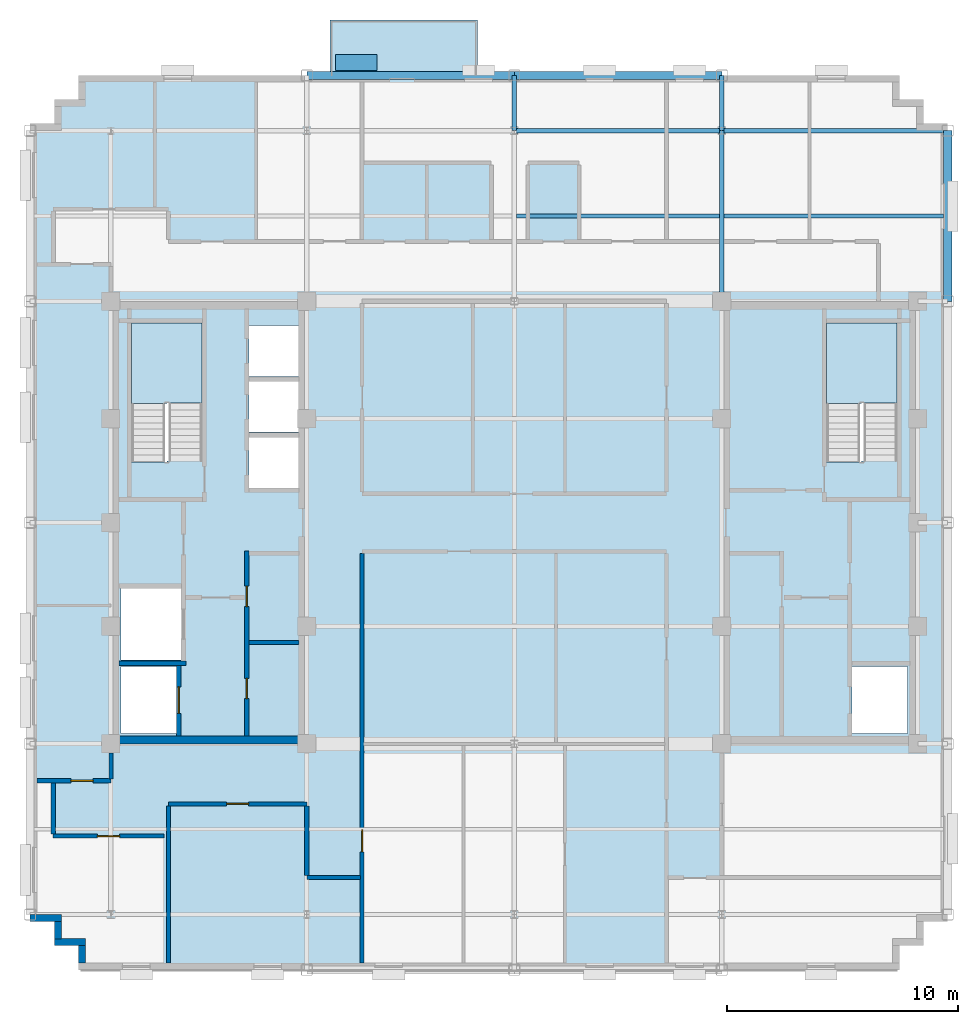
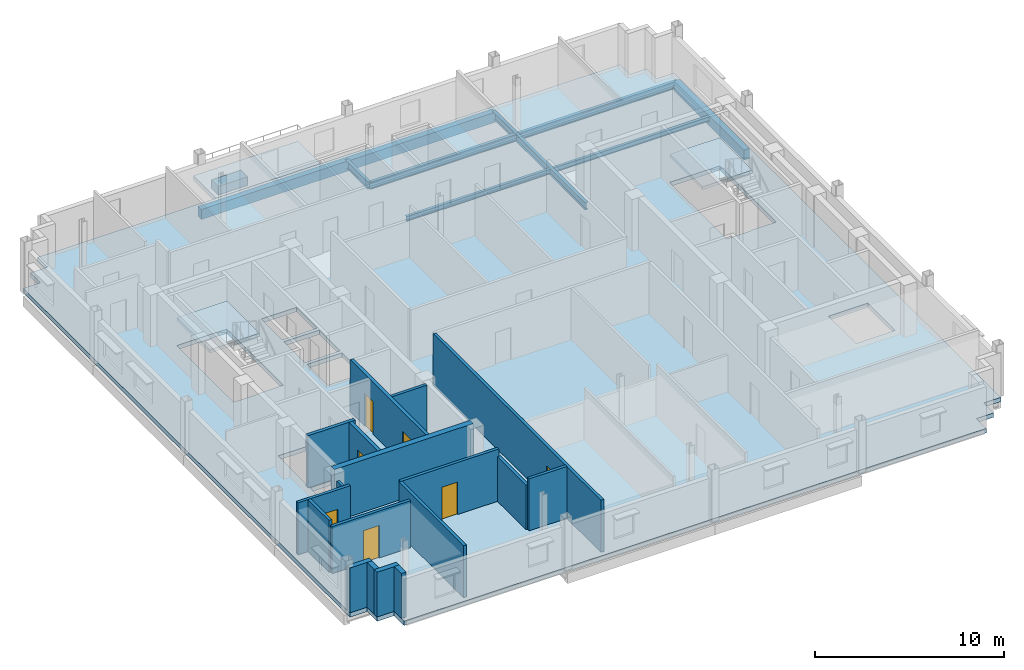
# One storey, part 5 of 14: 18 walls, 10 beams, 7 doors, 4 slabs, 1 plate, 7 openings, 2 elements without a shape of their own.
"""IFC4 building model written with IfcOpenShell, lengths in metres."""

from ifc_helpers import new_model, si_unit, direction, frame, frame_2d, origin, origin_2d, place, context, subcontext, project, spatial, polyline, rectangle, i_section, outline, extrude, source, transform, mapped, material, layer, layer_set, material_profile, profile_set, type_object, type_shapes, element, fill, aggregate, save


model = new_model("IFC4")

# Units and contexts
model_context = context("Model", 3, precision=1e-05, world=origin(), true_north=direction((0.0, 1.0)))
body_context = subcontext(model_context, "Body", "Model", "MODEL_VIEW")
ifc_project = project(units=[si_unit("LENGTHUNIT", "METRE"), si_unit("AREAUNIT", "SQUARE_METRE"), si_unit("VOLUMEUNIT", "CUBIC_METRE"), si_unit("PLANEANGLEUNIT", "RADIAN"), si_unit("MASSUNIT", "GRAM", prefix="KILO")], contexts=[model_context])

# Site, building, storey
site_placement = place(None, origin())
site = spatial("IfcSite", under=ifc_project, at=site_placement, CompositionType="ELEMENT")
building_placement = place(site_placement, origin())
building = spatial("IfcBuilding", under=site, at=building_placement, Name="Nuvemarco Arch Tower", CompositionType="ELEMENT")
storey_placement = place(building_placement, frame((0.0, 0.0, 272.550048828125)))
storey = spatial("IfcBuildingStorey", under=building, at=storey_placement, Name="L72", CompositionType="ELEMENT", Elevation=272.550048828125)

# Beams
ifc_material_1 = material(Name="Steel S355", Category="steel")
ifc_material_profile_1 = material_profile(ifc_material_1, i_section(OverallWidth=0.19189453125, OverallDepth=0.462890625, WebThickness=0.010498046875, FlangeThickness=0.017578125, FilletRadius=0.014892578125, at=origin_2d()), Name="W460x89")
ifc_profile_set_1 = profile_set([ifc_material_profile_1], Name="Steel S355")
beam_type_1 = type_object("IfcBeamType", Name="BM-GIRD-460", PredefinedType="BEAM", material=ifc_profile_set_1)
beam_1_placement = place(storey_placement, frame((0.0, 17.0, -0.511474609375), z_axis=(0.0, 1.0, 0.0), x_axis=(-1.0, 0.0, 0.0)))
element("IfcBeam", 1, at=beam_1_placement, inside=storey, type_object=beam_type_1, Name="L72 structural beam BGNS_L72_0_+0.0_+17.0", PredefinedType="BEAM", context=body_context, shape_type="SweptSolid", body=[
    extrude(i_section(OverallWidth=0.19189453125, OverallDepth=0.462890625, WebThickness=0.010498046875, FlangeThickness=0.017578125, FilletRadius=0.014892578125, at=origin_2d()), origin(), (0.0, 0.0, 1.0), 2.39990234375),
])
beam_2_placement = place(storey_placement, frame((9.0, 9.60009765625, -0.511474609375), z_axis=(0.0, 1.0, 0.0), x_axis=(-1.0, 0.0, 0.0)))
element("IfcBeam", 2, at=beam_2_placement, inside=storey, type_object=beam_type_1, Name="L72 structural beam BGNS_L72_0_+9.0_+9.6", PredefinedType="BEAM", context=body_context, shape_type="SweptSolid", body=[
    extrude(i_section(OverallWidth=0.19189453125, OverallDepth=0.462890625, WebThickness=0.010498046875, FlangeThickness=0.017578125, FilletRadius=0.014892578125, at=origin_2d()), origin(), (0.0, 0.0, 1.0), 7.39990234375),
])
beam_3_placement = place(storey_placement, frame((9.0, 17.0, -0.511474609375), z_axis=(0.0, 1.0, 0.0), x_axis=(-1.0, 0.0, 0.0)))
element("IfcBeam", 3, at=beam_3_placement, inside=storey, type_object=beam_type_1, Name="L72 structural beam BGNS_L72_0_+9.0_+17.0", PredefinedType="BEAM", context=body_context, shape_type="SweptSolid", body=[
    extrude(i_section(OverallWidth=0.19189453125, OverallDepth=0.462890625, WebThickness=0.010498046875, FlangeThickness=0.017578125, FilletRadius=0.014892578125, at=origin_2d()), origin(), (0.0, 0.0, 1.0), 2.39990234375),
])
beam_4_placement = place(storey_placement, frame((0.0, 17.0, -0.511474609375), z_axis=(1.0, 0.0, 0.0), x_axis=(0.0, 1.0, 0.0)))
element("IfcBeam", 4, at=beam_4_placement, inside=storey, type_object=beam_type_1, Name="L72 structural beam BGEW_L72_0_+17.0_+0.0", PredefinedType="BEAM", context=body_context, shape_type="SweptSolid", body=[
    extrude(i_section(OverallWidth=0.19189453125, OverallDepth=0.462890625, WebThickness=0.010498046875, FlangeThickness=0.017578125, FilletRadius=0.014892578125, at=origin_2d()), origin(), (0.0, 0.0, 1.0), 9.0),
])
beam_5_placement = place(storey_placement, frame((9.0, 17.0, -0.511474609375), z_axis=(1.0, 0.0, 0.0), x_axis=(0.0, 1.0, 0.0)))
element("IfcBeam", 5, at=beam_5_placement, inside=storey, type_object=beam_type_1, Name="L72 structural beam BGEW_L72_0_+17.0_+9.0", PredefinedType="BEAM", context=body_context, shape_type="SweptSolid", body=[
    extrude(i_section(OverallWidth=0.19189453125, OverallDepth=0.462890625, WebThickness=0.010498046875, FlangeThickness=0.017578125, FilletRadius=0.014892578125, at=origin_2d()), origin(), (0.0, 0.0, 1.0), 9.800048828125),
])
ifc_material_profile_2 = material_profile(ifc_material_1, i_section(OverallWidth=0.1669921875, OverallDepth=0.31689453125, WebThickness=0.007568359375, FlangeThickness=0.01318359375, FilletRadius=0.010009765625, at=origin_2d()), Name="W310x52")
ifc_profile_set_2 = profile_set([ifc_material_profile_2], Name="Steel S355")
beam_type_2 = type_object("IfcBeamType", Name="BM-JOIST-310", PredefinedType="JOIST", material=ifc_profile_set_2)
beam_6_placement = place(storey_placement, frame((0.095947265625, 13.300048828125, -0.4384765625), z_axis=(1.0, 0.0, 0.0), x_axis=(0.0, 1.0, 0.0)))
element("IfcBeam", 6, at=beam_6_placement, inside=storey, type_object=beam_type_2, Name="L72 structural beam BJ_L72_0_+13.3_+0.0", PredefinedType="JOIST", context=body_context, shape_type="SweptSolid", body=[
    extrude(i_section(OverallWidth=0.1669921875, OverallDepth=0.31689453125, WebThickness=0.007568359375, FlangeThickness=0.01318359375, FilletRadius=0.010009765625, at=origin_2d()), origin(), (0.0, 0.0, 1.0), 8.80810546875),
])
beam_7_placement = place(storey_placement, frame((9.095947265625, 13.300048828125, -0.4384765625), z_axis=(1.0, 0.0, 0.0), x_axis=(0.0, 1.0, 0.0)))
element("IfcBeam", 7, at=beam_7_placement, inside=storey, type_object=beam_type_2, Name="L72 structural beam BJ_L72_0_+13.3_+9.0", PredefinedType="JOIST", context=body_context, shape_type="SweptSolid", body=[
    extrude(i_section(OverallWidth=0.1669921875, OverallDepth=0.31689453125, WebThickness=0.007568359375, FlangeThickness=0.01318359375, FilletRadius=0.010009765625, at=origin_2d()), origin(), (0.0, 0.0, 1.0), 9.529052734375),
])
ifc_material_2 = material(Name="Precast concrete C45/55", Category="concrete")
ifc_material_profile_3 = material_profile(ifc_material_2, rectangle(XDim=0.35009765625, YDim=0.64990234375, at=origin_2d()), Name="PC-SP-350x650")
ifc_profile_set_3 = profile_set([ifc_material_profile_3], Name="Precast concrete C45/55")
beam_type_3 = type_object("IfcBeamType", Name="BM-SPAN-RC", PredefinedType="SPANDREL", material=ifc_profile_set_3)
beam_8_placement = place(storey_placement, frame((18.800048828125, 9.60009765625, -0.60498046875), z_axis=(0.0, 1.0, 0.0), x_axis=(-1.0, 0.0, 0.0)))
element("IfcBeam", 8, at=beam_8_placement, inside=storey, type_object=beam_type_3, Name="L72 structural beam BGNS_L72_0_+18.8_+9.6", PredefinedType="SPANDREL", context=body_context, shape_type="SweptSolid", body=[
    extrude(rectangle(XDim=0.35009765625, YDim=0.64990234375, at=origin_2d()), origin(), (0.0, 0.0, 1.0), 7.39990234375),
])
for number, where, z_axis, x_axis, name in (
    (9, (-9.0, 19.39990234375, -0.60498046875), (1.0, 0.0, 0.0), (0.0, 1.0, 0.0), "L72 structural beam BGEW_L72_0_+19.4_-9.0"),
    (10, (0.0, 19.39990234375, -0.60498046875), (1.0, 0.0, 0.0), (0.0, 1.0, 0.0), "L72 structural beam BGEW_L72_0_+19.4_+0.0"),
):
    element("IfcBeam", number, at=place(storey_placement, frame(where, z_axis=z_axis, x_axis=x_axis)), inside=storey, type_object=beam_type_3, Name=name, PredefinedType="SPANDREL", context=body_context, shape_type="SweptSolid", body=[
        extrude(rectangle(XDim=0.35009765625, YDim=0.64990234375, at=origin_2d()), origin(), (0.0, 0.0, 1.0), 9.0),
    ])

# Slab
ifc_material_3 = material(Name="Concrete C50/60", Category="concrete")
ifc_layer_1 = layer(ifc_material_3, 0.280029296875, Name="SL-FLR-280")
ifc_layer_set_1 = layer_set([ifc_layer_1], Name="Concrete C50/60")
slab_type_1 = type_object("IfcSlabType", Name="SL-FLR-280", PredefinedType="FLOOR", material=ifc_layer_set_1)
slab_1_placement = place(storey_placement, frame((0.0, 0.0, -0.280029296875)))
element("IfcSlab", 11, at=slab_1_placement, inside=storey, type_object=slab_type_1, Name="L72 structural floor slab", PredefinedType="FLOOR", context=body_context, shape_type="SweptSolid", body=[
    extrude(outline(polyline([(-18.89990234375, -19.39990234375), (16.699951171875, -19.39990234375), (16.699951171875, -18.35009765625), (17.75, -18.35009765625), (17.75, -17.300048828125), (18.800048828125, -17.300048828125), (18.800048828125, 17.300048828125), (17.75, 17.300048828125), (17.75, 18.35009765625), (16.699951171875, 18.35009765625), (16.699951171875, 19.39990234375), (-18.89990234375, 19.39990234375), (-18.89990234375, 18.35009765625), (-19.949951171875, 18.35009765625), (-19.949951171875, 17.300048828125), (-21.0, 17.300048828125), (-21.0, -17.300048828125), (-19.949951171875, -17.300048828125), (-19.949951171875, -18.35009765625), (-18.89990234375, -18.35009765625), (-18.89990234375, -19.39990234375)]), holes=[polyline([(-13.5400390625, 2.669921875), (-13.5400390625, 8.64990234375), (-16.60009765625, 8.64990234375), (-16.60009765625, 2.630615234375), (-15.070068359375, 2.630615234375), (-15.070068359375, 2.669921875), (-13.5400390625, 2.669921875)]), polyline([(16.60009765625, 2.669921875), (16.60009765625, 8.64990234375), (13.5400390625, 8.64990234375), (13.5400390625, 2.630615234375), (15.070068359375, 2.630615234375), (15.070068359375, 2.669921875), (16.60009765625, 2.669921875)]), polyline([(-17.050048828125, -9.14990234375), (-14.64990234375, -9.14990234375), (-14.64990234375, -6.25), (-17.050048828125, -6.25), (-17.050048828125, -9.14990234375)]), polyline([(-17.050048828125, -5.949951171875), (-14.449951171875, -5.949951171875), (-14.449951171875, -2.85009765625), (-17.050048828125, -2.85009765625), (-17.050048828125, -5.949951171875)]), polyline([(-11.5, 1.5), (-9.35009765625, 1.5), (-9.35009765625, 3.699951171875), (-11.5, 3.699951171875), (-11.5, 1.5)]), polyline([(-11.5, 3.919921875), (-9.35009765625, 3.919921875), (-9.35009765625, 6.1201171875), (-11.5, 6.1201171875), (-11.5, 3.919921875)]), polyline([(-11.5, 6.340087890625), (-9.35009765625, 6.340087890625), (-9.35009765625, 8.5400390625), (-11.5, 8.5400390625), (-11.5, 6.340087890625)]), polyline([(14.64990234375, -9.14990234375), (17.050048828125, -9.14990234375), (17.050048828125, -6.25), (14.64990234375, -6.25), (14.64990234375, -9.14990234375)])]), origin(), (0.0, 0.0, 1.0), 0.280029296875),
])

# Stair, slab
stair_type = type_object("IfcStairType", Name="ST-CORE-20R", PredefinedType="HALF_TURN_STAIR", material=ifc_material_2)
stair_1_placement = place(storey_placement, origin())
stair_1 = element("IfcStair", 12, at=stair_1_placement, inside=storey, type_object=stair_type, Name="L72 Protected Exit Stair ST-1", PredefinedType="HALF_TURN_STAIR")
ifc_layer_2 = layer(ifc_material_2, 0.199951171875, Name="SL-LANDING-200")
ifc_layer_set_2 = layer_set([ifc_layer_2], Name="Precast concrete C45/55")
slab_type_2 = type_object("IfcSlabType", Name="SL-LANDING-200", PredefinedType="LANDING", material=ifc_layer_set_2)
slab_2_placement = place(storey_placement, frame((0.0, 0.0, 1.625)))
slab_2 = element("IfcSlab", 13, at=slab_2_placement, type_object=slab_type_2, Name="ST-20R landing 1", PredefinedType="LANDING", context=body_context, shape_type="SweptSolid", body=[
    extrude(outline(polyline([(-13.5400390625, 5.189453125), (-13.5400390625, 8.64990234375), (-16.60009765625, 8.64990234375), (-16.60009765625, 5.169921875), (-15.070068359375, 5.169921875), (-15.070068359375, 5.189453125), (-13.5400390625, 5.189453125)])), origin(), (0.0, 0.0, 1.0), 0.199951171875),
])
aggregate(stair_1, [slab_2])

stair_2_placement = place(storey_placement, origin())
stair_2 = element("IfcStair", 14, at=stair_2_placement, inside=storey, type_object=stair_type, Name="L72 Protected Exit Stair ST-2", PredefinedType="HALF_TURN_STAIR")
slab_3_placement = place(storey_placement, frame((0.0, 0.0, 1.625)))
slab_3 = element("IfcSlab", 15, at=slab_3_placement, type_object=slab_type_2, Name="ST-20R landing 1", PredefinedType="LANDING", context=body_context, shape_type="SweptSolid", body=[
    extrude(outline(polyline([(16.60009765625, 5.189453125), (16.60009765625, 8.64990234375), (13.5400390625, 8.64990234375), (13.5400390625, 5.169921875), (15.070068359375, 5.169921875), (15.070068359375, 5.189453125), (16.60009765625, 5.189453125)])), origin(), (0.0, 0.0, 1.0), 0.199951171875),
])
aggregate(stair_2, [slab_3])

# Slab
ifc_layer_3 = layer(ifc_material_3, 0.294921875, Name="SL-TR4")
ifc_layer_set_3 = layer_set([ifc_layer_3], Name="Concrete C50/60")
slab_type_3 = type_object("IfcSlabType", Name="SL-TR4", PredefinedType="FLOOR", material=ifc_layer_set_3)
slab_4_placement = place(storey_placement, frame((0.0, 0.0, -0.295166015625)))
element("IfcSlab", 16, at=slab_4_placement, inside=storey, type_object=slab_type_3, Name="L72 outdoor spiral terrace slab 1", PredefinedType="FLOOR", context=body_context, shape_type="SweptSolid", body=[
    extrude(outline(polyline([(-8.0, 19.39990234375), (-1.60009765625, 19.39990234375), (-1.60009765625, 21.800048828125), (-8.0, 21.800048828125), (-8.0, 19.39990234375)])), origin(), (0.0, 0.0, 1.0), 0.295166015625),
])

# Plate
ifc_layer_4 = layer(ifc_material_2, 0.550048828125, Name="Tree Balcony Structural Planter")
ifc_layer_set_4 = layer_set([ifc_layer_4], Name="Precast concrete C45/55")
plate_type = type_object("IfcPlateType", Name="Tree Balcony Structural Planter", PredefinedType="USERDEFINED", material=ifc_layer_set_4)
shared_shape_1 = source(origin(), body_context, "Body", "SweptSolid", [
    extrude(rectangle(XDim=1.800048828125, YDim=0.699951171875, at=origin_2d()), origin(), (0.0, 0.0, 1.0), 0.550048828125),
])
type_shapes(plate_type, [shared_shape_1])
plate_placement = place(storey_placement, frame((-6.85009765625, 19.949951171875, 0.0), z_axis=(0.0, 0.0, 1.0), x_axis=(1.0, 0.0, 0.0)))
element("IfcPlate", 17, at=plate_placement, inside=storey, type_object=plate_type, Name="L72 Tree Balcony Structural Planter", ObjectType="PLANTER", PredefinedType="USERDEFINED", context=body_context, shape_type="MappedRepresentation", body=[
    mapped(shared_shape_1, transform((0.0, 0.0, 0.0), scale=1.0)),
])

# Walls
ifc_layer_5 = layer(ifc_material_2, 0.300048828125, Name="EW-HIGH-300")
ifc_layer_set_5 = layer_set([ifc_layer_5], Name="Precast concrete C45/55")
wall_type_1 = type_object("IfcWallType", Name="EW-HIGH-300", PredefinedType="STANDARD", material=ifc_layer_set_5)
wall_1_placement = place(storey_placement, frame((-21.0, -17.14990234375, 0.0), z_axis=(0.0, 0.0, 1.0), x_axis=(1.0, 0.0, 0.0)))
element("IfcWall", 18, at=wall_1_placement, inside=storey, type_object=wall_type_1, Name="L72 exterior precast facade wall 17", PredefinedType="STANDARD", context=body_context, shape_type="SweptSolid", body=[
    extrude(rectangle(XDim=1.35009765625, YDim=0.300048828125, at=frame_2d((0.675048828125, 0.0))), origin(), (0.0, 0.0, 1.0), 2.891845703125),
])
wall_2_placement = place(storey_placement, frame((-19.800048828125, -18.053955078125, 0.0), z_axis=(0.0, 0.0, 1.0), x_axis=(0.0, 1.0, 0.0)))
element("IfcWall", 19, at=wall_2_placement, inside=storey, type_object=wall_type_1, Name="L72 exterior precast facade wall 18", PredefinedType="STANDARD", context=body_context, shape_type="SweptSolid", body=[
    extrude(rectangle(XDim=0.758056640625, YDim=0.300048828125, at=frame_2d((0.37890625, 0.0))), origin(), (0.0, 0.0, 1.0), 2.891845703125),
])
wall_3_placement = place(storey_placement, frame((-19.949951171875, -18.199951171875, 0.0), z_axis=(0.0, 0.0, 1.0), x_axis=(1.0, 0.0, 0.0)))
element("IfcWall", 20, at=wall_3_placement, inside=storey, type_object=wall_type_1, Name="L72 exterior precast facade wall 19", PredefinedType="STANDARD", context=body_context, shape_type="SweptSolid", body=[
    extrude(rectangle(XDim=1.349853515625, YDim=0.300048828125, at=frame_2d((0.6748046875, 0.0))), origin(), (0.0, 0.0, 1.0), 2.891845703125),
])
wall_4_placement = place(storey_placement, frame((-18.75, -19.10400390625, 0.0), z_axis=(0.0, 0.0, 1.0), x_axis=(0.0, 1.0, 0.0)))
element("IfcWall", 21, at=wall_4_placement, inside=storey, type_object=wall_type_1, Name="L72 exterior precast facade wall 20", PredefinedType="STANDARD", context=body_context, shape_type="SweptSolid", body=[
    extrude(rectangle(XDim=0.758056640625, YDim=0.300048828125, at=frame_2d((0.37890625, 0.0))), origin(), (0.0, 0.0, 1.0), 2.891845703125),
])
ifc_layer_6 = layer(ifc_material_3, 0.35009765625, Name="WL-CORE-350")
ifc_layer_set_6 = layer_set([ifc_layer_6], Name="Concrete C50/60")
wall_type_2 = type_object("IfcWallType", Name="WL-CORE-350", PredefinedType="SHEAR", material=ifc_layer_set_6)
wall_5_placement = place(storey_placement, frame((-17.5, -9.425048828125, 0.0), z_axis=(0.0, 0.0, 1.0), x_axis=(1.0, 0.0, 0.0)))
element("IfcWall", 22, at=wall_5_placement, inside=storey, type_object=wall_type_2, Name="L72 W-core shear wall S", PredefinedType="SHEAR", context=body_context, shape_type="SweptSolid", body=[
    extrude(rectangle(XDim=8.5, YDim=0.35009765625, at=frame_2d((4.25, 0.0))), origin(), (0.0, 0.0, 1.0), 3.369873046875),
])
ifc_material_4 = material(Name="Fire-rated gypsum drywall partition")
ifc_layer_7 = layer(ifc_material_4, 0.179931640625, Name="WL-CORR-180")
ifc_layer_set_7 = layer_set([ifc_layer_7], Name="Fire-rated gypsum drywall partition")
wall_type_3 = type_object("IfcWallType", Name="WL-CORR-180", PredefinedType="PARTITIONING", material=ifc_layer_set_7)
wall_6_placement = place(storey_placement, frame((-11.5048828125, -5.199951171875, 0.0), z_axis=(0.0, 0.0, 1.0), x_axis=(1.0, 0.0, 0.0)))
element("IfcWall", 23, at=wall_6_placement, inside=storey, type_object=wall_type_3, Name="L72 interior wall IW-L72-W-RECK1", PredefinedType="PARTITIONING", context=body_context, shape_type="SweptSolid", body=[
    extrude(rectangle(XDim=2.159912109375, YDim=0.179931640625, at=frame_2d((1.080078125, 0.0))), origin(), (0.0, 0.0, 1.0), 3.35986328125),
])
wall_7_placement = place(storey_placement, frame((-9.0, -15.39990234375, 0.0), z_axis=(0.0, 0.0, 1.0), x_axis=(1.0, 0.0, 0.0)))
element("IfcWall", 24, at=wall_7_placement, inside=storey, type_object=wall_type_3, Name="L72 interior wall IW-L72-001", PredefinedType="PARTITIONING", context=body_context, shape_type="SweptSolid", body=[
    extrude(rectangle(XDim=2.333984375, YDim=0.179931640625, at=frame_2d((1.1669921875, 0.0))), origin(), (0.0, 0.0, 1.0), 3.35986328125),
])

# Wall, opening, door
wall_8_placement = place(storey_placement, frame((-20.0, -13.60009765625, 0.0), z_axis=(0.0, 0.0, 1.0), x_axis=(1.0, 0.0, 0.0)))
wall_8 = element("IfcWall", 25, at=wall_8_placement, inside=storey, type_object=wall_type_3, Name="L72 interior wall IW-L72-003", PredefinedType="PARTITIONING", context=body_context, shape_type="SweptSolid", body=[
    extrude(rectangle(XDim=4.800048828125, YDim=0.179931640625, at=frame_2d((2.39990234375, 0.0))), origin(), (0.0, 0.0, 1.0), 3.037841796875),
])
opening_1_placement = place(wall_8_placement, frame((1.919921875, 0.0, 0.0)))
opening_1 = element("IfcOpeningElement", 26, at=opening_1_placement, cuts=wall_8, Name="Opening FD-5", PredefinedType="OPENING", context=body_context, shape_type="SweptSolid", body=[
    extrude(rectangle(XDim=0.9599609375, YDim=2.10009765625, at=frame_2d((0.47998046875, 1.050048828125))), frame((0.0, 0.099853515625, 0.0), z_axis=(0.0, -1.0, 0.0), x_axis=(1.0, 0.0, 0.0)), (0.0, 0.0, 1.0), 0.199951171875),
])
ifc_material_5 = material(Name="Timber fire door", Category="wood")
door_type_1 = type_object("IfcDoorType", Name="DR-CORR-FD", OperationType="NOTDEFINED", PredefinedType="DOOR", material=ifc_material_5)
shared_shape_2 = source(origin(), body_context, "Body", "SweptSolid", [
    extrude(rectangle(XDim=0.9599609375, YDim=2.10009765625, at=frame_2d((0.47998046875, 1.050048828125))), frame((0.0, 0.02490234375, 0.0), z_axis=(0.0, -1.0, 0.0), x_axis=(1.0, 0.0, 0.0)), (0.0, 0.0, 1.0), 0.050048828125),
])
type_shapes(door_type_1, [shared_shape_2])
door_1_placement = place(opening_1_placement, origin())
door_1 = element("IfcDoor", 27, at=door_1_placement, inside=storey, type_object=door_type_1, Name="L72 door DR-L72-S_1", OperationType="SINGLE_SWING_RIGHT", OverallHeight=2.10009765625, OverallWidth=0.9599609375, PredefinedType="DOOR", context=body_context, shape_type="MappedRepresentation", body=[
    mapped(shared_shape_2, transform((0.0, 0.0, 0.0), scale=1.0)),
])
fill(opening_1, door_1)

wall_9_placement = place(storey_placement, frame((-15.0, -12.199951171875, 0.0), z_axis=(0.0, 0.0, 1.0), x_axis=(1.0, 0.0, 0.0)))
wall_9 = element("IfcWall", 28, at=wall_9_placement, inside=storey, type_object=wall_type_3, Name="L72 interior wall IW-L72-004", PredefinedType="PARTITIONING", context=body_context, shape_type="SweptSolid", body=[
    extrude(rectangle(XDim=6.0, YDim=0.179931640625, at=frame_2d((3.0, 0.0))), origin(), (0.0, 0.0, 1.0), 3.35986328125),
])
opening_2_placement = place(wall_9_placement, frame((2.52001953125, 0.0, 0.0)))
opening_2 = element("IfcOpeningElement", 29, at=opening_2_placement, cuts=wall_9, Name="Opening FD-5", PredefinedType="OPENING", context=body_context, shape_type="SweptSolid", body=[
    extrude(rectangle(XDim=0.9599609375, YDim=2.10009765625, at=frame_2d((0.47998046875, 1.050048828125))), frame((0.0, 0.099853515625, 0.0), z_axis=(0.0, -1.0, 0.0), x_axis=(1.0, 0.0, 0.0)), (0.0, 0.0, 1.0), 0.199951171875),
])
door_2_placement = place(opening_2_placement, origin())
door_2 = element("IfcDoor", 30, at=door_2_placement, inside=storey, type_object=door_type_1, Name="L72 door DR-L72-S_2", OperationType="SINGLE_SWING_LEFT", OverallHeight=2.10009765625, OverallWidth=0.9599609375, PredefinedType="DOOR", context=body_context, shape_type="MappedRepresentation", body=[
    mapped(shared_shape_2, transform((0.0, 0.0, 0.0), scale=1.0)),
])
fill(opening_2, door_2)

wall_10_placement = place(storey_placement, frame((-20.699951171875, -11.199951171875, 0.0), z_axis=(0.0, 0.0, 1.0), x_axis=(1.0, 0.0, 0.0)))
wall_10 = element("IfcWall", 31, at=wall_10_placement, inside=storey, type_object=wall_type_3, Name="L72 interior wall IW-L72-005", PredefinedType="PARTITIONING", context=body_context, shape_type="SweptSolid", body=[
    extrude(rectangle(XDim=3.199951171875, YDim=0.179931640625, at=frame_2d((1.60009765625, 0.0))), origin(), (0.0, 0.0, 1.0), 3.35986328125),
])
opening_3_placement = place(wall_10_placement, frame((1.469970703125, 0.0, 0.0)))
opening_3 = element("IfcOpeningElement", 32, at=opening_3_placement, cuts=wall_10, Name="Opening FD-5", PredefinedType="OPENING", context=body_context, shape_type="SweptSolid", body=[
    extrude(rectangle(XDim=0.9599609375, YDim=2.10009765625, at=frame_2d((0.47998046875, 1.050048828125))), frame((0.0, 0.099853515625, 0.0), z_axis=(0.0, -1.0, 0.0), x_axis=(1.0, 0.0, 0.0)), (0.0, 0.0, 1.0), 0.199951171875),
])
door_3_placement = place(opening_3_placement, origin())
door_3 = element("IfcDoor", 33, at=door_3_placement, inside=storey, type_object=door_type_1, Name="L72 door DR-L72-W_1", OperationType="SINGLE_SWING_RIGHT", OverallHeight=2.10009765625, OverallWidth=0.9599609375, PredefinedType="DOOR", context=body_context, shape_type="MappedRepresentation", body=[
    mapped(shared_shape_2, transform((0.0, 0.0, 0.0), scale=1.0)),
])
fill(opening_3, door_3)

# Walls
wall_11_placement = place(storey_placement, frame((-20.0, -13.513916015625, 0.0), z_axis=(0.0, 0.0, 1.0), x_axis=(0.0, 1.0, 0.0)))
element("IfcWall", 34, at=wall_11_placement, inside=storey, type_object=wall_type_3, Name="L72 interior wall IW-L72-018", PredefinedType="PARTITIONING", context=body_context, shape_type="SweptSolid", body=[
    extrude(rectangle(XDim=2.22802734375, YDim=0.179931640625, at=frame_2d((1.114013671875, 0.0))), origin(), (0.0, 0.0, 1.0), 3.35986328125),
])
wall_12_placement = place(storey_placement, frame((-17.5, -11.114013671875, 0.0), z_axis=(0.0, 0.0, 1.0), x_axis=(0.0, 1.0, 0.0)))
element("IfcWall", 35, at=wall_12_placement, inside=storey, type_object=wall_type_3, Name="L72 interior wall IW-L72-020", PredefinedType="PARTITIONING", context=body_context, shape_type="SweptSolid", body=[
    extrude(rectangle(XDim=1.117919921875, YDim=0.179931640625, at=frame_2d((0.55908203125, 0.0))), origin(), (0.0, 0.0, 1.0), 2.891845703125),
])
wall_13_placement = place(storey_placement, frame((-15.0, -19.10009765625, 0.0), z_axis=(0.0, 0.0, 1.0), x_axis=(0.0, 1.0, 0.0)))
element("IfcWall", 36, at=wall_13_placement, inside=storey, type_object=wall_type_3, Name="L72 interior wall IW-L72-023", PredefinedType="PARTITIONING", context=body_context, shape_type="SweptSolid", body=[
    extrude(rectangle(XDim=6.814208984375, YDim=0.179931640625, at=frame_2d((3.4072265625, 0.0))), origin(), (0.0, 0.0, 1.0), 3.35986328125),
])
wall_14_placement = place(storey_placement, frame((-9.0, -15.31396484375, 0.0), z_axis=(0.0, 0.0, 1.0), x_axis=(0.0, 1.0, 0.0)))
element("IfcWall", 37, at=wall_14_placement, inside=storey, type_object=wall_type_3, Name="L72 interior wall IW-L72-026", PredefinedType="PARTITIONING", context=body_context, shape_type="SweptSolid", body=[
    extrude(rectangle(XDim=3.028076171875, YDim=0.179931640625, at=frame_2d((1.51416015625, 0.0))), origin(), (0.0, 0.0, 1.0), 2.891845703125),
])

# Wall, opening, door
wall_15_placement = place(storey_placement, frame((-6.60009765625, -19.10009765625, 0.0), z_axis=(0.0, 0.0, 1.0), x_axis=(0.0, 1.0, 0.0)))
wall_15 = element("IfcWall", 38, at=wall_15_placement, inside=storey, type_object=wall_type_3, Name="L72 interior wall IW-L72-027", PredefinedType="PARTITIONING", context=body_context, shape_type="SweptSolid", body=[
    extrude(rectangle(XDim=17.76416015625, YDim=0.179931640625, at=frame_2d((8.882080078125, 0.0))), origin(), (0.0, 0.0, 1.0), 3.35986328125),
])
opening_4_placement = place(wall_15_placement, frame((4.820068359375, 0.0, 0.0)))
opening_4 = element("IfcOpeningElement", 39, at=opening_4_placement, cuts=wall_15, Name="Opening FD-5", PredefinedType="OPENING", context=body_context, shape_type="SweptSolid", body=[
    extrude(rectangle(XDim=0.9599609375, YDim=2.10009765625, at=frame_2d((0.47998046875, 1.050048828125))), frame((0.0, 0.099853515625, 0.0), z_axis=(0.0, -1.0, 0.0), x_axis=(1.0, 0.0, 0.0)), (0.0, 0.0, 1.0), 0.199951171875),
])
door_4_placement = place(opening_4_placement, origin())
door_4 = element("IfcDoor", 40, at=door_4_placement, inside=storey, type_object=door_type_1, Name="L72 door DR-L72-S_3", OperationType="SINGLE_SWING_RIGHT", OverallHeight=2.10009765625, OverallWidth=0.9599609375, PredefinedType="DOOR", context=body_context, shape_type="MappedRepresentation", body=[
    mapped(shared_shape_2, transform((0.0, 0.0, 0.0), scale=1.0)),
])
fill(opening_4, door_4)

ifc_layer_8 = layer(ifc_material_3, 0.199951171875, Name="WL-SHAFT-220")
ifc_layer_set_8 = layer_set([ifc_layer_8], Name="Concrete C50/60")
wall_type_4 = type_object("IfcWallType", Name="WL-SHAFT-220", PredefinedType="SHEAR", material=ifc_layer_set_8)
wall_16_placement = place(storey_placement, frame((-14.550048828125, -9.2548828125, 0.0), z_axis=(0.0, 0.0, 1.0), x_axis=(0.0, 1.0, 0.0)))
wall_16 = element("IfcWall", 41, at=wall_16_placement, inside=storey, type_object=wall_type_4, Name="L72 structural shaft wall SW-L72-W-SHE", PredefinedType="SHEAR", context=body_context, shape_type="SweptSolid", body=[
    extrude(rectangle(XDim=3.059814453125, YDim=0.199951171875, at=frame_2d((1.52978515625, 0.0))), origin(), (0.0, 0.0, 1.0), 3.369873046875),
])
opening_5_placement = place(wall_16_placement, frame((0.97998046875, 0.0, 0.0)))
opening_5 = element("IfcOpeningElement", 42, at=opening_5_placement, cuts=wall_16, Name="Opening LD-2", PredefinedType="OPENING", context=body_context, shape_type="SweptSolid", body=[
    extrude(rectangle(XDim=1.14990234375, YDim=2.14990234375, at=frame_2d((0.574951171875, 1.074951171875))), frame((0.0, 0.10986328125, 0.0), z_axis=(0.0, -1.0, 0.0), x_axis=(1.0, 0.0, 0.0)), (0.0, 0.0, 1.0), 0.219970703125),
])
ifc_material_6 = material(Name="Stainless steel lift door", Category="steel")
door_type_2 = type_object("IfcDoorType", Name="DR-LIFT-FIRE", OperationType="DOUBLE_DOOR_SLIDING", PredefinedType="DOOR", material=ifc_material_6)
shared_shape_3 = source(origin(), body_context, "Body", "SweptSolid", [
    extrude(rectangle(XDim=1.14990234375, YDim=2.14990234375, at=frame_2d((0.574951171875, 1.074951171875))), frame((0.0, 0.02490234375, 0.0), z_axis=(0.0, -1.0, 0.0), x_axis=(1.0, 0.0, 0.0)), (0.0, 0.0, 1.0), 0.050048828125),
])
type_shapes(door_type_2, [shared_shape_3])
door_5_placement = place(opening_5_placement, origin())
door_5 = element("IfcDoor", 43, at=door_5_placement, inside=storey, type_object=door_type_2, Name="L72 Lift landing sliding door FFL-1", OperationType="DOUBLE_DOOR_SLIDING", OverallHeight=2.14990234375, OverallWidth=1.14990234375, PredefinedType="DOOR", context=body_context, shape_type="MappedRepresentation", body=[
    mapped(shared_shape_3, transform((0.0, 0.0, 0.0), scale=1.0)),
])
fill(opening_5, door_5)

# Wall
wall_17_placement = place(storey_placement, frame((-17.155029296875, -6.10009765625, 0.0), z_axis=(0.0, 0.0, 1.0), x_axis=(1.0, 0.0, 0.0)))
element("IfcWall", 44, at=wall_17_placement, inside=storey, type_object=wall_type_4, Name="L72 structural shaft wall SW-L72-W-SH1", PredefinedType="SHEAR", context=body_context, shape_type="SweptSolid", body=[
    extrude(rectangle(XDim=2.905029296875, YDim=0.199951171875, at=frame_2d((1.45263671875, 0.0))), origin(), (0.0, 0.0, 1.0), 3.369873046875),
])

# Wall, openings, doors
wall_18_placement = place(storey_placement, frame((-11.60009765625, -9.2548828125, 0.0), z_axis=(0.0, 0.0, 1.0), x_axis=(0.0, 1.0, 0.0)))
wall_18 = element("IfcWall", 45, at=wall_18_placement, inside=storey, type_object=wall_type_4, Name="L72 structural shaft wall SW-L72-W-PLW", PredefinedType="SHEAR", context=body_context, shape_type="SweptSolid", body=[
    extrude(rectangle(XDim=8.02490234375, YDim=0.199951171875, at=frame_2d((4.012451171875, 0.0))), origin(), (0.0, 0.0, 1.0), 3.369873046875),
])
opening_6_placement = place(wall_18_placement, frame((1.614990234375, 0.0, 0.0)))
opening_6 = element("IfcOpeningElement", 46, at=opening_6_placement, cuts=wall_18, Name="Opening FD-4", PredefinedType="OPENING", context=body_context, shape_type="SweptSolid", body=[
    extrude(rectangle(XDim=0.8798828125, YDim=2.10009765625, at=frame_2d((0.43994140625, 1.050048828125))), frame((0.0, 0.10986328125, 0.0), z_axis=(0.0, -1.0, 0.0), x_axis=(1.0, 0.0, 0.0)), (0.0, 0.0, 1.0), 0.219970703125),
])
opening_7_placement = place(wall_18_placement, frame((5.614990234375, 0.0, 0.0)))
opening_7 = element("IfcOpeningElement", 47, at=opening_7_placement, cuts=wall_18, Name="Opening FD-4", PredefinedType="OPENING", context=body_context, shape_type="SweptSolid", body=[
    extrude(rectangle(XDim=0.8798828125, YDim=2.10009765625, at=frame_2d((0.43994140625, 1.050048828125))), frame((0.0, 0.10986328125, 0.0), z_axis=(0.0, -1.0, 0.0), x_axis=(1.0, 0.0, 0.0)), (0.0, 0.0, 1.0), 0.219970703125),
])
ifc_material_7 = material(Name="Anodised steel fire door", Category="steel")
door_type_3 = type_object("IfcDoorType", Name="DR-RISER-FD", OperationType="NOTDEFINED", PredefinedType="DOOR", material=ifc_material_7)
shared_shape_4 = source(origin(), body_context, "Body", "SweptSolid", [
    extrude(rectangle(XDim=0.8798828125, YDim=2.10009765625, at=frame_2d((0.43994140625, 1.050048828125))), frame((0.0, 0.02490234375, 0.0), z_axis=(0.0, -1.0, 0.0), x_axis=(1.0, 0.0, 0.0)), (0.0, 0.0, 1.0), 0.050048828125),
])
type_shapes(door_type_3, [shared_shape_4])
door_6_placement = place(opening_6_placement, origin())
door_6 = element("IfcDoor", 48, at=door_6_placement, inside=storey, type_object=door_type_3, Name="L72 door FD-L72-WREC1", OperationType="SINGLE_SWING_LEFT", OverallHeight=2.10009765625, OverallWidth=0.8798828125, PredefinedType="DOOR", context=body_context, shape_type="MappedRepresentation", body=[
    mapped(shared_shape_4, transform((0.0, 0.0, 0.0), scale=1.0)),
])
fill(opening_6, door_6)
door_7_placement = place(opening_7_placement, origin())
door_7 = element("IfcDoor", 49, at=door_7_placement, inside=storey, type_object=door_type_3, Name="L72 door FD-L72-WREC2", OperationType="SINGLE_SWING_RIGHT", OverallHeight=2.10009765625, OverallWidth=0.8798828125, PredefinedType="DOOR", context=body_context, shape_type="MappedRepresentation", body=[
    mapped(shared_shape_4, transform((0.0, 0.0, 0.0), scale=1.0)),
])
fill(opening_7, door_7)

save(model, "model.ifc")
